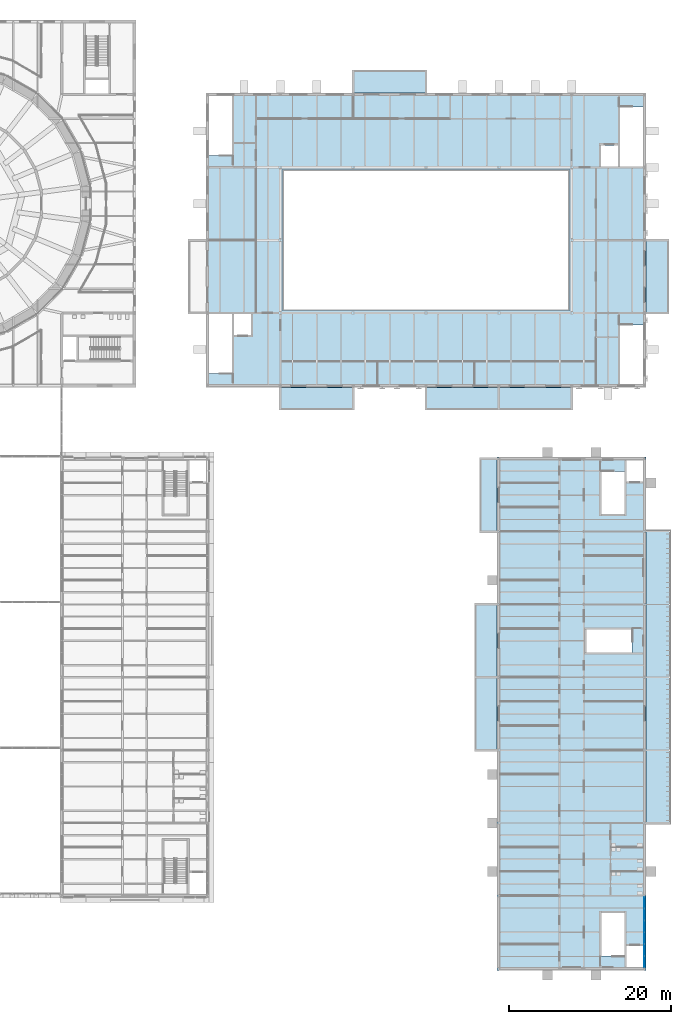
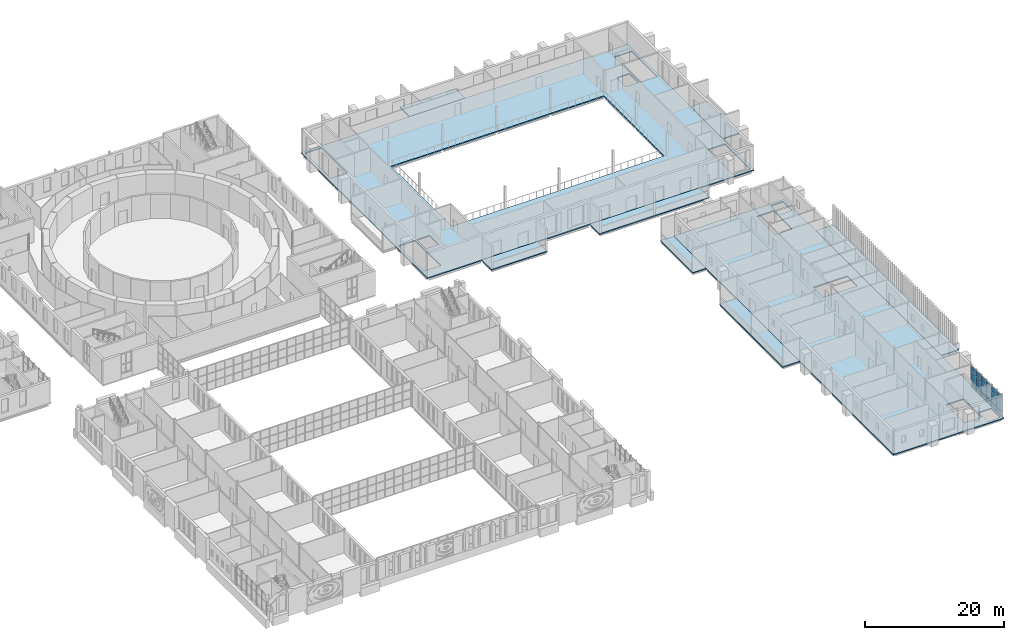
# One storey, part 70 of 131: 18 plates, 9 slabs, 1 element without a shape of its own.
"""IFC4 building model written with IfcOpenShell, lengths in metres."""

from ifc_helpers import new_model, si_unit, direction, frame, origin, origin_2d, place, context, subcontext, project, spatial, polyline, rectangle, outline, extrude, material, layer, layer_set, type_object, element, aggregate, save


model = new_model("IFC4")

# Units and contexts
model_context = context("Model", 3, precision=1e-05, world=origin(), true_north=direction((0.0, 1.0)))
body_context = subcontext(model_context, "Body", "Model", "MODEL_VIEW")
ifc_project = project(units=[si_unit("LENGTHUNIT", "METRE"), si_unit("AREAUNIT", "SQUARE_METRE"), si_unit("VOLUMEUNIT", "CUBIC_METRE"), si_unit("PLANEANGLEUNIT", "RADIAN"), si_unit("MASSUNIT", "GRAM", prefix="KILO")], contexts=[model_context])

# Site, building, storey
site_placement = place(None, origin())
site = spatial("IfcSite", under=ifc_project, at=site_placement, CompositionType="ELEMENT")
building_placement = place(site_placement, origin())
building = spatial("IfcBuilding", under=site, at=building_placement, Name="Golden Quay Civic Hall", CompositionType="ELEMENT")
storey_placement = place(building_placement, frame((0.0, 0.0, 9.89990234375)))
storey = spatial("IfcBuildingStorey", under=building, at=storey_placement, Name="L02", CompositionType="ELEMENT", Elevation=9.89990234375)

# Slabs
ifc_material_1 = material(Name="Concrete C35/45", Category="concrete")
ifc_layer_1 = layer(ifc_material_1, 0.199951171875)
ifc_layer_set_1 = layer_set([ifc_layer_1], Name="Composite floor 200")
slab_type_1 = type_object("IfcSlabType", Name="Composite floor 200", PredefinedType="FLOOR", material=ifc_layer_set_1)
slab_1_placement = place(storey_placement, frame((0.0, 0.0, -0.199951171875)))
element("IfcSlab", 1, at=slab_1_placement, inside=storey, type_object=slab_type_1, Name="EO floor L02", PredefinedType="FLOOR", context=body_context, shape_type="SweptSolid", body=[
    extrude(outline(polyline([(152.800048828125, -9.199951171875), (152.800048828125, 54.199951171875), (171.199951171875, 54.199951171875), (171.199951171875, -9.199951171875), (152.800048828125, -9.199951171875)]), holes=[polyline([(168.5, -2.14990234375), (165.64990234375, -2.14990234375), (165.64990234375, -7.445068359375), (168.5, -7.445068359375), (168.5, -2.14990234375)]), polyline([(170.800048828125, -8.800048828125), (170.800048828125, -6.199951171875), (168.75, -6.199951171875), (168.75, -8.800048828125), (170.800048828125, -8.800048828125)]), polyline([(165.64990234375, 47.14990234375), (168.5, 47.14990234375), (168.5, 52.445068359375), (165.64990234375, 52.445068359375), (165.64990234375, 47.14990234375)]), polyline([(168.75, 53.800048828125), (168.75, 51.199951171875), (170.800048828125, 51.199951171875), (170.800048828125, 53.800048828125), (168.75, 53.800048828125)]), polyline([(169.445068359375, 32.925048828125), (163.824951171875, 32.925048828125), (163.824951171875, 30.074951171875), (169.445068359375, 30.074951171875), (169.445068359375, 32.925048828125)])]), origin(), (0.0, 0.0, 1.0), 0.199951171875),
])
slab_2_placement = place(storey_placement, frame((0.0, 0.0, -0.199951171875)))
element("IfcSlab", 2, at=slab_2_placement, inside=storey, type_object=slab_type_1, Name="L02 floor slab", PredefinedType="FLOOR", context=body_context, shape_type="SweptSolid", body=[
    extrude(outline(polyline([(116.800048828125, 62.800048828125), (171.199951171875, 62.800048828125), (171.199951171875, 99.199951171875), (116.800048828125, 99.199951171875), (116.800048828125, 62.800048828125)]), holes=[polyline([(120.050048828125, 64.554931640625), (120.050048828125, 71.875), (117.199951171875, 71.875), (117.199951171875, 64.554931640625), (120.050048828125, 64.554931640625)]), polyline([(120.300048828125, 69.27490234375), (122.39990234375, 69.27490234375), (122.39990234375, 71.875), (120.300048828125, 71.875), (120.300048828125, 69.27490234375)]), polyline([(167.949951171875, 97.445068359375), (167.949951171875, 90.125), (170.800048828125, 90.125), (170.800048828125, 97.445068359375), (167.949951171875, 97.445068359375)]), polyline([(167.699951171875, 92.72509765625), (165.60009765625, 92.72509765625), (165.60009765625, 90.125), (167.699951171875, 90.125), (167.699951171875, 92.72509765625)]), polyline([(120.050048828125, 91.47998046875), (120.050048828125, 98.800048828125), (117.199951171875, 98.800048828125), (117.199951171875, 91.47998046875), (120.050048828125, 91.47998046875)]), polyline([(167.949951171875, 70.52001953125), (167.949951171875, 63.199951171875), (170.800048828125, 63.199951171875), (170.800048828125, 70.52001953125), (167.949951171875, 70.52001953125)]), polyline([(161.699951171875, 72.300048828125), (161.699951171875, 89.699951171875), (126.300048828125, 89.699951171875), (126.300048828125, 72.300048828125), (161.699951171875, 72.300048828125)])]), origin(), (0.0, 0.0, 1.0), 0.199951171875),
])

# Curtain wall, plates
ifc_material_2 = material(Name="Glass, laminated double glazed", Category="glass")
ifc_layer_2 = layer(ifc_material_2, 0.199951171875)
ifc_layer_set_2 = layer_set([ifc_layer_2], Name="Glazed core strip curtain wall")
curtain_wall_type = type_object("IfcCurtainWallType", Name="Glazed core strip curtain wall", PredefinedType="NOTDEFINED", material=ifc_layer_set_2)
curtain_wall_placement = place(storey_placement, origin())
curtain_wall = element("IfcCurtainWall", 3, at=curtain_wall_placement, inside=storey, type_object=curtain_wall_type, Name="Glazed core strip curtain wall L02 5", PredefinedType="NOTDEFINED")
ifc_material_3 = material(Name="Glass, laminated double glazed", Category="glass")
ifc_layer_3 = layer(ifc_material_3, 0.028076171875)
ifc_layer_set_3 = layer_set([ifc_layer_3], Name="Double glazed curtain wall panel 28")
plate_type = type_object("IfcPlateType", Name="Double glazed curtain wall panel 28", PredefinedType="CURTAIN_PANEL", material=ifc_layer_set_3)
plate_1_placement = place(storey_placement, frame((171.0, -0.84423828125, 0.06005859375), z_axis=(0.0, 0.0, 1.0), x_axis=(0.0, -1.0, 0.0)))
plate_1 = element("IfcPlate", 4, at=plate_1_placement, type_object=plate_type, Name="CW2 panel 1.1", PredefinedType="CURTAIN_PANEL", context=body_context, shape_type="SweptSolid", body=[
    extrude(rectangle(XDim=1.37841796875, YDim=0.028076171875, at=origin_2d()), origin(), (0.0, 0.0, 1.0), 0.81005859375),
])
plate_2_placement = place(storey_placement, frame((171.0, -0.84423828125, 0.93017578125), z_axis=(0.0, 0.0, 1.0), x_axis=(0.0, -1.0, 0.0)))
plate_2 = element("IfcPlate", 5, at=plate_2_placement, type_object=plate_type, Name="CW2 panel 1.2", PredefinedType="CURTAIN_PANEL", context=body_context, shape_type="SweptSolid", body=[
    extrude(rectangle(XDim=1.37841796875, YDim=0.028076171875, at=origin_2d()), origin(), (0.0, 0.0, 1.0), 1.739990234375),
])
plate_3_placement = place(storey_placement, frame((171.0, -0.84423828125, 2.72998046875), z_axis=(0.0, 0.0, 1.0), x_axis=(0.0, -1.0, 0.0)))
plate_3 = element("IfcPlate", 6, at=plate_3_placement, type_object=plate_type, Name="CW2 panel 1.3", PredefinedType="CURTAIN_PANEL", context=body_context, shape_type="SweptSolid", body=[
    extrude(rectangle(XDim=1.37841796875, YDim=0.028076171875, at=origin_2d()), origin(), (0.0, 0.0, 1.0), 1.06005859375),
])
plate_4_placement = place(storey_placement, frame((171.0, -2.297607421875, 0.06005859375), z_axis=(0.0, 0.0, 1.0), x_axis=(0.0, -1.0, 0.0)))
plate_4 = element("IfcPlate", 7, at=plate_4_placement, type_object=plate_type, Name="CW2 panel 2.1", PredefinedType="CURTAIN_PANEL", context=body_context, shape_type="SweptSolid", body=[
    extrude(rectangle(XDim=1.408447265625, YDim=0.028076171875, at=origin_2d()), origin(), (0.0, 0.0, 1.0), 0.81005859375),
])
plate_5_placement = place(storey_placement, frame((171.0, -2.297607421875, 0.93017578125), z_axis=(0.0, 0.0, 1.0), x_axis=(0.0, -1.0, 0.0)))
plate_5 = element("IfcPlate", 8, at=plate_5_placement, type_object=plate_type, Name="CW2 panel 2.2", PredefinedType="CURTAIN_PANEL", context=body_context, shape_type="SweptSolid", body=[
    extrude(rectangle(XDim=1.408447265625, YDim=0.028076171875, at=origin_2d()), origin(), (0.0, 0.0, 1.0), 1.739990234375),
])
plate_6_placement = place(storey_placement, frame((171.0, -2.297607421875, 2.72998046875), z_axis=(0.0, 0.0, 1.0), x_axis=(0.0, -1.0, 0.0)))
plate_6 = element("IfcPlate", 9, at=plate_6_placement, type_object=plate_type, Name="CW2 panel 2.3", PredefinedType="CURTAIN_PANEL", context=body_context, shape_type="SweptSolid", body=[
    extrude(rectangle(XDim=1.408447265625, YDim=0.028076171875, at=origin_2d()), origin(), (0.0, 0.0, 1.0), 1.06005859375),
])
plate_7_placement = place(storey_placement, frame((171.0, -3.765869140625, 0.06005859375), z_axis=(0.0, 0.0, 1.0), x_axis=(0.0, -1.0, 0.0)))
plate_7 = element("IfcPlate", 10, at=plate_7_placement, type_object=plate_type, Name="CW2 panel 3.1", PredefinedType="CURTAIN_PANEL", context=body_context, shape_type="SweptSolid", body=[
    extrude(rectangle(XDim=1.408447265625, YDim=0.028076171875, at=origin_2d()), origin(), (0.0, 0.0, 1.0), 0.81005859375),
])
plate_8_placement = place(storey_placement, frame((171.0, -3.765869140625, 0.93017578125), z_axis=(0.0, 0.0, 1.0), x_axis=(0.0, -1.0, 0.0)))
plate_8 = element("IfcPlate", 11, at=plate_8_placement, type_object=plate_type, Name="CW2 panel 3.2", PredefinedType="CURTAIN_PANEL", context=body_context, shape_type="SweptSolid", body=[
    extrude(rectangle(XDim=1.408447265625, YDim=0.028076171875, at=origin_2d()), origin(), (0.0, 0.0, 1.0), 1.739990234375),
])
plate_9_placement = place(storey_placement, frame((171.0, -3.765869140625, 2.72998046875), z_axis=(0.0, 0.0, 1.0), x_axis=(0.0, -1.0, 0.0)))
plate_9 = element("IfcPlate", 12, at=plate_9_placement, type_object=plate_type, Name="CW2 panel 3.3", PredefinedType="CURTAIN_PANEL", context=body_context, shape_type="SweptSolid", body=[
    extrude(rectangle(XDim=1.408447265625, YDim=0.028076171875, at=origin_2d()), origin(), (0.0, 0.0, 1.0), 1.06005859375),
])
plate_10_placement = place(storey_placement, frame((171.0, -5.234130859375, 0.06005859375), z_axis=(0.0, 0.0, 1.0), x_axis=(0.0, -1.0, 0.0)))
plate_10 = element("IfcPlate", 13, at=plate_10_placement, type_object=plate_type, Name="CW2 panel 4.1", PredefinedType="CURTAIN_PANEL", context=body_context, shape_type="SweptSolid", body=[
    extrude(rectangle(XDim=1.408447265625, YDim=0.028076171875, at=origin_2d()), origin(), (0.0, 0.0, 1.0), 0.81005859375),
])
plate_11_placement = place(storey_placement, frame((171.0, -5.234130859375, 0.93017578125), z_axis=(0.0, 0.0, 1.0), x_axis=(0.0, -1.0, 0.0)))
plate_11 = element("IfcPlate", 14, at=plate_11_placement, type_object=plate_type, Name="CW2 panel 4.2", PredefinedType="CURTAIN_PANEL", context=body_context, shape_type="SweptSolid", body=[
    extrude(rectangle(XDim=1.408447265625, YDim=0.028076171875, at=origin_2d()), origin(), (0.0, 0.0, 1.0), 1.739990234375),
])
plate_12_placement = place(storey_placement, frame((171.0, -5.234130859375, 2.72998046875), z_axis=(0.0, 0.0, 1.0), x_axis=(0.0, -1.0, 0.0)))
plate_12 = element("IfcPlate", 15, at=plate_12_placement, type_object=plate_type, Name="CW2 panel 4.3", PredefinedType="CURTAIN_PANEL", context=body_context, shape_type="SweptSolid", body=[
    extrude(rectangle(XDim=1.408447265625, YDim=0.028076171875, at=origin_2d()), origin(), (0.0, 0.0, 1.0), 1.06005859375),
])
plate_13_placement = place(storey_placement, frame((171.0, -6.702392578125, 0.06005859375), z_axis=(0.0, 0.0, 1.0), x_axis=(0.0, -1.0, 0.0)))
plate_13 = element("IfcPlate", 16, at=plate_13_placement, type_object=plate_type, Name="CW2 panel 5.1", PredefinedType="CURTAIN_PANEL", context=body_context, shape_type="SweptSolid", body=[
    extrude(rectangle(XDim=1.408447265625, YDim=0.028076171875, at=origin_2d()), origin(), (0.0, 0.0, 1.0), 0.81005859375),
])
plate_14_placement = place(storey_placement, frame((171.0, -6.702392578125, 0.93017578125), z_axis=(0.0, 0.0, 1.0), x_axis=(0.0, -1.0, 0.0)))
plate_14 = element("IfcPlate", 17, at=plate_14_placement, type_object=plate_type, Name="CW2 panel 5.2", PredefinedType="CURTAIN_PANEL", context=body_context, shape_type="SweptSolid", body=[
    extrude(rectangle(XDim=1.408447265625, YDim=0.028076171875, at=origin_2d()), origin(), (0.0, 0.0, 1.0), 1.739990234375),
])
plate_15_placement = place(storey_placement, frame((171.0, -6.702392578125, 2.72998046875), z_axis=(0.0, 0.0, 1.0), x_axis=(0.0, -1.0, 0.0)))
plate_15 = element("IfcPlate", 18, at=plate_15_placement, type_object=plate_type, Name="CW2 panel 5.3", PredefinedType="CURTAIN_PANEL", context=body_context, shape_type="SweptSolid", body=[
    extrude(rectangle(XDim=1.408447265625, YDim=0.028076171875, at=origin_2d()), origin(), (0.0, 0.0, 1.0), 1.06005859375),
])
plate_16_placement = place(storey_placement, frame((171.0, -8.15576171875, 0.06005859375), z_axis=(0.0, 0.0, 1.0), x_axis=(0.0, -1.0, 0.0)))
plate_16 = element("IfcPlate", 19, at=plate_16_placement, type_object=plate_type, Name="CW2 panel 6.1", PredefinedType="CURTAIN_PANEL", context=body_context, shape_type="SweptSolid", body=[
    extrude(rectangle(XDim=1.37841796875, YDim=0.028076171875, at=origin_2d()), origin(), (0.0, 0.0, 1.0), 0.81005859375),
])
plate_17_placement = place(storey_placement, frame((171.0, -8.15576171875, 0.93017578125), z_axis=(0.0, 0.0, 1.0), x_axis=(0.0, -1.0, 0.0)))
plate_17 = element("IfcPlate", 20, at=plate_17_placement, type_object=plate_type, Name="CW2 panel 6.2", PredefinedType="CURTAIN_PANEL", context=body_context, shape_type="SweptSolid", body=[
    extrude(rectangle(XDim=1.37841796875, YDim=0.028076171875, at=origin_2d()), origin(), (0.0, 0.0, 1.0), 1.739990234375),
])
plate_18_placement = place(storey_placement, frame((171.0, -8.15576171875, 2.72998046875), z_axis=(0.0, 0.0, 1.0), x_axis=(0.0, -1.0, 0.0)))
plate_18 = element("IfcPlate", 21, at=plate_18_placement, type_object=plate_type, Name="CW2 panel 6.3", PredefinedType="CURTAIN_PANEL", context=body_context, shape_type="SweptSolid", body=[
    extrude(rectangle(XDim=1.37841796875, YDim=0.028076171875, at=origin_2d()), origin(), (0.0, 0.0, 1.0), 1.06005859375),
])
aggregate(curtain_wall, [plate_1, plate_2, plate_3, plate_4, plate_5, plate_6, plate_7, plate_8, plate_9, plate_10, plate_11, plate_12, plate_13, plate_14, plate_15, plate_16, plate_17, plate_18])

# Slabs
ifc_material_4 = material(Name="Concrete C35/45", Category="concrete")
ifc_layer_4 = layer(ifc_material_4, 0.199951171875)
ifc_layer_set_4 = layer_set([ifc_layer_4], Name="Loggia deck 200")
slab_type_2 = type_object("IfcSlabType", Name="Loggia deck 200", PredefinedType="FLOOR", material=ifc_layer_set_4)
slab_3_placement = place(storey_placement, frame((0.0, 0.0, -0.199951171875)))
element("IfcSlab", 22, at=slab_3_placement, inside=storey, type_object=slab_type_2, Name="Loggia deck 200 L02 1", PredefinedType="FLOOR", context=body_context, shape_type="SweptSolid", body=[
    extrude(outline(polyline([(171.199951171875, 8.89990234375), (171.199951171875, 45.10009765625), (174.199951171875, 45.10009765625), (174.199951171875, 8.89990234375), (171.199951171875, 8.89990234375)])), origin(), (0.0, 0.0, 1.0), 0.199951171875),
])
slab_4_placement = place(storey_placement, frame((0.0, 0.0, -0.199951171875)))
element("IfcSlab", 23, at=slab_4_placement, inside=storey, type_object=slab_type_2, Name="Loggia deck 200 L02 4", PredefinedType="FLOOR", context=body_context, shape_type="SweptSolid", body=[
    extrude(outline(polyline([(152.800048828125, 17.85009765625), (152.800048828125, 36.14990234375), (150.0, 36.14990234375), (150.0, 17.85009765625), (152.800048828125, 17.85009765625)])), origin(), (0.0, 0.0, 1.0), 0.199951171875),
])
slab_5_placement = place(storey_placement, frame((0.0, 0.0, -0.199951171875)))
element("IfcSlab", 24, at=slab_5_placement, inside=storey, type_object=slab_type_2, Name="Loggia deck 200 L02 5", PredefinedType="FLOOR", context=body_context, shape_type="SweptSolid", body=[
    extrude(outline(polyline([(152.800048828125, 44.85009765625), (152.800048828125, 54.14990234375), (150.60009765625, 54.14990234375), (150.60009765625, 44.85009765625), (152.800048828125, 44.85009765625)])), origin(), (0.0, 0.0, 1.0), 0.199951171875),
])
slab_6_placement = place(storey_placement, frame((0.0, 0.0, -0.199951171875)))
element("IfcSlab", 25, at=slab_6_placement, inside=storey, type_object=slab_type_2, Name="Loggia deck 200 L02 6", PredefinedType="FLOOR", context=body_context, shape_type="SweptSolid", body=[
    extrude(outline(polyline([(125.85009765625, 62.800048828125), (135.14990234375, 62.800048828125), (135.14990234375, 60.0), (125.85009765625, 60.0), (125.85009765625, 62.800048828125)])), origin(), (0.0, 0.0, 1.0), 0.199951171875),
])
slab_7_placement = place(storey_placement, frame((0.0, 0.0, -0.199951171875)))
element("IfcSlab", 26, at=slab_7_placement, inside=storey, type_object=slab_type_2, Name="Loggia deck 200 L02 7", PredefinedType="FLOOR", context=body_context, shape_type="SweptSolid", body=[
    extrude(outline(polyline([(143.85009765625, 62.800048828125), (162.14990234375, 62.800048828125), (162.14990234375, 60.0), (143.85009765625, 60.0), (143.85009765625, 62.800048828125)])), origin(), (0.0, 0.0, 1.0), 0.199951171875),
])
slab_8_placement = place(storey_placement, frame((0.0, 0.0, -0.199951171875)))
element("IfcSlab", 27, at=slab_8_placement, inside=storey, type_object=slab_type_2, Name="Loggia deck 200 L02 8", PredefinedType="FLOOR", context=body_context, shape_type="SweptSolid", body=[
    extrude(outline(polyline([(171.199951171875, 71.85009765625), (171.199951171875, 81.14990234375), (174.0, 81.14990234375), (174.0, 71.85009765625), (171.199951171875, 71.85009765625)])), origin(), (0.0, 0.0, 1.0), 0.199951171875),
])
slab_9_placement = place(storey_placement, frame((0.0, 0.0, -0.199951171875)))
element("IfcSlab", 28, at=slab_9_placement, inside=storey, type_object=slab_type_2, Name="Loggia deck 200 L02 9", PredefinedType="FLOOR", context=body_context, shape_type="SweptSolid", body=[
    extrude(outline(polyline([(134.85009765625, 99.199951171875), (144.14990234375, 99.199951171875), (144.14990234375, 102.0), (134.85009765625, 102.0), (134.85009765625, 99.199951171875)])), origin(), (0.0, 0.0, 1.0), 0.199951171875),
])

save(model, "model.ifc")
